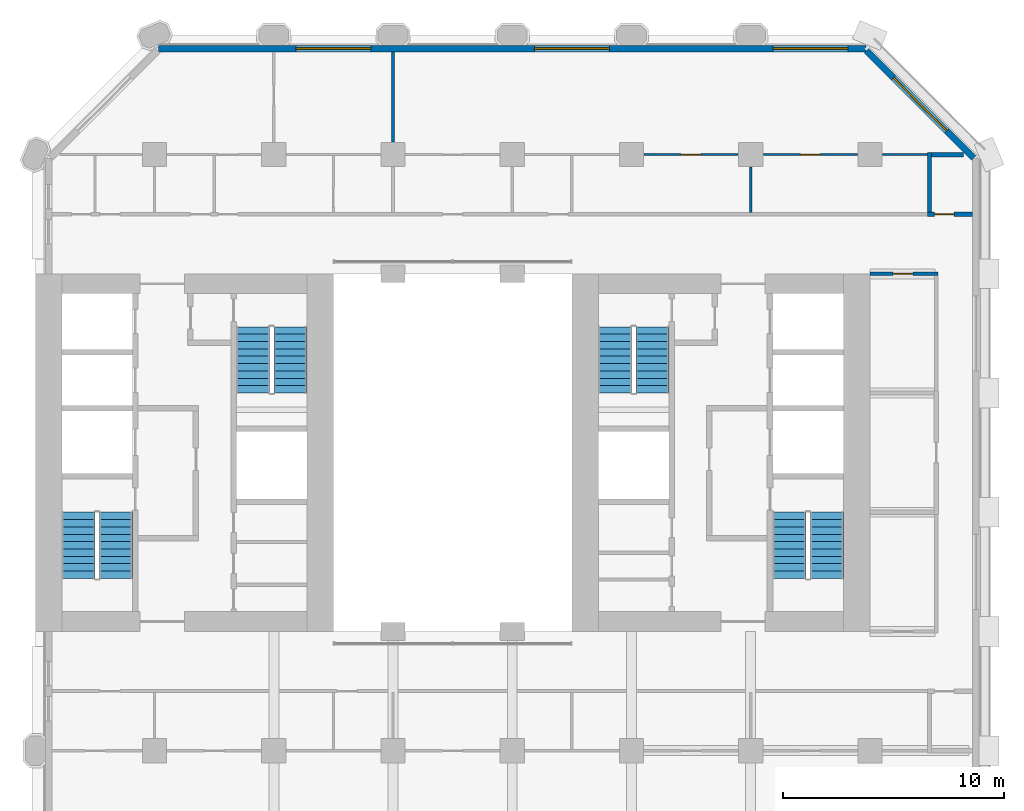
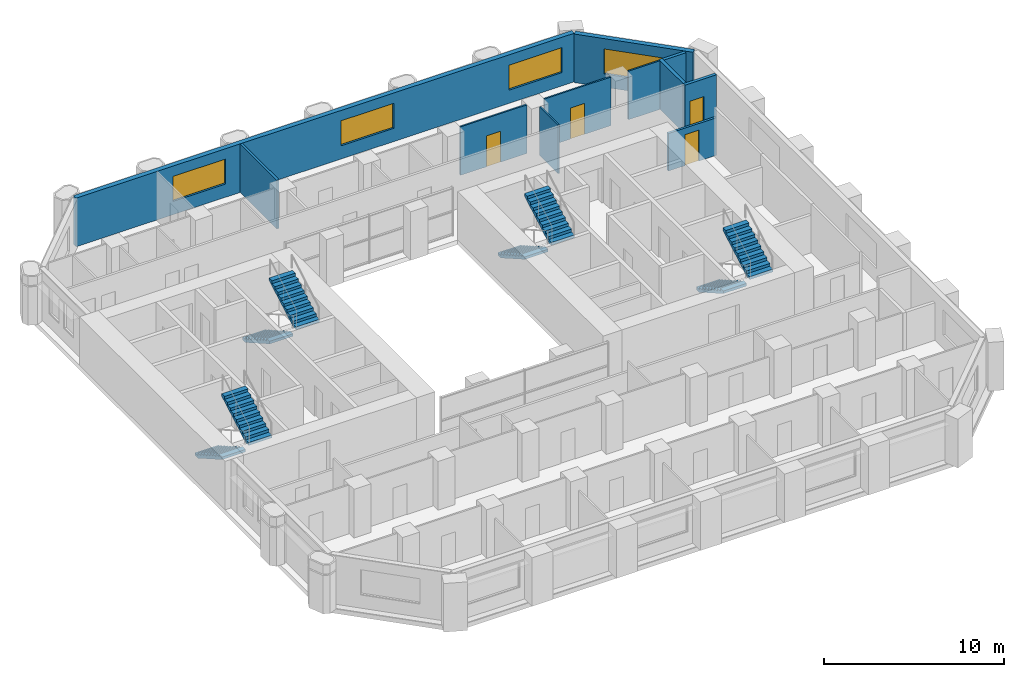
# One storey, part 11 of 13: 11 walls, 8 stair flights, 4 doors, 4 windows, 8 openings, 4 elements without a shape of their own.
"""IFC4 building model written with IfcOpenShell, lengths in metres."""

from ifc_helpers import new_model, si_unit, direction, frame, frame_2d, origin, place, context, subcontext, project, spatial, polyline, rectangle, outline, extrude, material, layer, layer_set, type_object, element, fill, aggregate, save


model = new_model("IFC4")

# Units and contexts
model_context = context("Model", 3, precision=1e-05, world=origin(), true_north=direction((0.0, 1.0)))
body_context = subcontext(model_context, "Body", "Model", "MODEL_VIEW")
ifc_project = project(units=[si_unit("LENGTHUNIT", "METRE"), si_unit("AREAUNIT", "SQUARE_METRE"), si_unit("VOLUMEUNIT", "CUBIC_METRE"), si_unit("PLANEANGLEUNIT", "RADIAN"), si_unit("MASSUNIT", "GRAM", prefix="KILO")], contexts=[model_context])

# Site, building, storey
site_placement = place(None, origin())
site = spatial("IfcSite", under=ifc_project, at=site_placement, CompositionType="ELEMENT")
building_placement = place(site_placement, origin())
building = spatial("IfcBuilding", under=site, at=building_placement, Name="Tabaq Tower and Sports Hall", CompositionType="ELEMENT")
storey_placement = place(building_placement, frame((0.0, 0.0, 56.39990234375)))
storey = spatial("IfcBuildingStorey", under=building, at=storey_placement, Name="L12", CompositionType="ELEMENT", Elevation=56.39990234375)

# Wall, opening, door
ifc_material_1 = material(Name="Blockwork", Category="masonry")
ifc_layer_1 = layer(ifc_material_1, 0.199951171875)
ifc_layer_set_1 = layer_set([ifc_layer_1], Name="Fire compartment wall 200 Blockwork")
wall_type_1 = type_object("IfcWallType", Name="Fire compartment wall 200 Blockwork", PredefinedType="PARTITIONING", material=ifc_layer_set_1)
wall_1_placement = place(storey_placement, frame((47.84912109375, 35.10009765625, 0.0), z_axis=(0.0, 0.0, 1.0), x_axis=(-1.0, 0.0, 0.0)))
wall_1 = element("IfcWall", 1, at=wall_1_placement, inside=storey, type_object=wall_type_1, Name="Compartment wall L12", PredefinedType="PARTITIONING", context=body_context, shape_type="SweptSolid", body=[
    extrude(rectangle(XDim=2.049072265625, YDim=0.199951171875, at=frame_2d((1.0244140625, 0.0))), origin(), (0.0, 0.0, 1.0), 3.300048828125),
])
opening_1_placement = place(wall_1_placement, frame((0.8291015625, 0.0, 0.0)))
opening_1 = element("IfcOpeningElement", 2, at=opening_1_placement, cuts=wall_1, Name="Opening L12-005", PredefinedType="OPENING", context=body_context, shape_type="SweptSolid", body=[
    extrude(rectangle(XDim=0.89990234375, YDim=2.10009765625, at=frame_2d((0.449951171875, 1.050048828125))), frame((0.0, 0.10009765625, 0.0), z_axis=(0.0, -1.0, 0.0), x_axis=(1.0, 0.0, 0.0)), (0.0, 0.0, 1.0), 0.199951171875),
])
ifc_material_2 = material(Name="Steel fire door", Category="steel")
door_type_1 = type_object("IfcDoorType", Name="Plant room door 900 right hand", OperationType="SINGLE_SWING_RIGHT", PredefinedType="DOOR", material=ifc_material_2)
door_1_placement = place(opening_1_placement, origin())
door_1 = element("IfcDoor", 3, at=door_1_placement, inside=storey, type_object=door_type_1, Name="Plant room door L12-005", OperationType="SINGLE_SWING_RIGHT", OverallHeight=2.10009765625, OverallWidth=0.89990234375, PredefinedType="DOOR", context=body_context, shape_type="SweptSolid", body=[
    extrude(rectangle(XDim=0.89990234375, YDim=2.10009765625, at=frame_2d((0.449951171875, 1.050048828125))), frame((0.0, 0.02490234375, 0.0), z_axis=(0.0, -1.0, 0.0), x_axis=(1.0, 0.0, 0.0)), (0.0, 0.0, 1.0), 0.050048828125),
])
fill(opening_1, door_1)

# Walls
wall_2_placement = place(storey_placement, frame((45.89990234375, 35.199951171875, 0.0), z_axis=(0.0, 0.0, 1.0), x_axis=(0.0, 1.0, 0.0)))
element("IfcWall", 4, at=wall_2_placement, inside=storey, type_object=wall_type_1, Name="Compartment wall L12", PredefinedType="PARTITIONING", context=body_context, shape_type="SweptSolid", body=[
    extrude(rectangle(XDim=2.699951171875, YDim=0.199951171875, at=frame_2d((1.35009765625, 0.0))), origin(), (0.0, 0.0, 1.0), 3.300048828125),
])
wall_3_placement = place(storey_placement, frame((47.43798828125, 37.800048828125, 0.0), z_axis=(0.0, 0.0, 1.0), x_axis=(-1.0, 0.0, 0.0)))
element("IfcWall", 5, at=wall_3_placement, inside=storey, type_object=wall_type_1, Name="Compartment wall L12", PredefinedType="PARTITIONING", context=body_context, shape_type="SweptSolid", body=[
    extrude(rectangle(XDim=1.43798828125, YDim=0.199951171875, at=frame_2d((0.718994140625, 0.0))), origin(), (0.0, 0.0, 1.0), 3.300048828125),
])
ifc_material_3 = material(Name="Gypsum board on steel studs", Category="steel")
ifc_layer_2 = layer(ifc_material_3, 0.10009765625)
ifc_layer_set_2 = layer_set([ifc_layer_2], Name="Partition 100 Gypsum board")
wall_type_2 = type_object("IfcWallType", Name="Partition 100 Gypsum board", PredefinedType="PARTITIONING", material=ifc_layer_set_2)
wall_4_placement = place(storey_placement, frame((37.800048828125, 35.175048828125, 0.0), z_axis=(0.0, 0.0, 1.0), x_axis=(0.0, 1.0, 0.0)))
element("IfcWall", 6, at=wall_4_placement, inside=storey, type_object=wall_type_2, Name="Partition wall L12", PredefinedType="PARTITIONING", context=body_context, shape_type="SweptSolid", body=[
    extrude(rectangle(XDim=2.054931640625, YDim=0.10009765625, at=frame_2d((1.02734375, 0.0))), origin(), (0.0, 0.0, 1.0), 3.300048828125),
])

# Wall, opening, door
wall_5_placement = place(storey_placement, frame((37.22998046875, 37.800048828125, 0.0), z_axis=(0.0, 0.0, 1.0), x_axis=(-1.0, 0.0, 0.0)))
wall_5 = element("IfcWall", 7, at=wall_5_placement, inside=storey, type_object=wall_type_2, Name="Partition wall L12", PredefinedType="PARTITIONING", context=body_context, shape_type="SweptSolid", body=[
    extrude(rectangle(XDim=4.260009765625, YDim=0.10009765625, at=frame_2d((2.1298828125, 0.0))), origin(), (0.0, 0.0, 1.0), 3.300048828125),
])
opening_2_placement = place(wall_5_placement, frame((1.679931640625, 0.0, 0.0)))
opening_2 = element("IfcOpeningElement", 8, at=opening_2_placement, cuts=wall_5, Name="Opening L12-013", PredefinedType="OPENING", context=body_context, shape_type="SweptSolid", body=[
    extrude(rectangle(XDim=0.89990234375, YDim=2.10009765625, at=frame_2d((0.449951171875, 1.050048828125))), frame((0.0, 0.050048828125, 0.0), z_axis=(0.0, -1.0, 0.0), x_axis=(1.0, 0.0, 0.0)), (0.0, 0.0, 1.0), 0.10009765625),
])
ifc_material_4 = material(Name="Timber leaf in steel frame", Category="steel")
door_type_2 = type_object("IfcDoorType", Name="Internal door 900 left hand", OperationType="SINGLE_SWING_LEFT", PredefinedType="DOOR", material=ifc_material_4)
door_2_placement = place(opening_2_placement, origin())
door_2 = element("IfcDoor", 9, at=door_2_placement, inside=storey, type_object=door_type_2, Name="Internal door L12-013", OperationType="SINGLE_SWING_LEFT", OverallHeight=2.10009765625, OverallWidth=0.89990234375, PredefinedType="DOOR", context=body_context, shape_type="SweptSolid", body=[
    extrude(rectangle(XDim=0.89990234375, YDim=2.10009765625, at=frame_2d((0.449951171875, 1.050048828125))), frame((0.0, 0.02490234375, 0.0), z_axis=(0.0, -1.0, 0.0), x_axis=(1.0, 0.0, 0.0)), (0.0, 0.0, 1.0), 0.050048828125),
])
fill(opening_2, door_2)

# Wall
wall_6_placement = place(storey_placement, frame((45.800048828125, 37.800048828125, 0.0), z_axis=(0.0, 0.0, 1.0), x_axis=(-1.0, 0.0, 0.0)))
element("IfcWall", 10, at=wall_6_placement, inside=storey, type_object=wall_type_2, Name="Partition wall L12", PredefinedType="PARTITIONING", context=body_context, shape_type="SweptSolid", body=[
    extrude(rectangle(XDim=2.030029296875, YDim=0.10009765625, at=frame_2d((1.01513671875, 0.0))), origin(), (0.0, 0.0, 1.0), 3.300048828125),
])

# Wall, opening, door
wall_7_placement = place(storey_placement, frame((42.6298828125, 37.800048828125, 0.0), z_axis=(0.0, 0.0, 1.0), x_axis=(-1.0, 0.0, 0.0)))
wall_7 = element("IfcWall", 11, at=wall_7_placement, inside=storey, type_object=wall_type_2, Name="Partition wall L12", PredefinedType="PARTITIONING", context=body_context, shape_type="SweptSolid", body=[
    extrude(rectangle(XDim=4.259765625, YDim=0.10009765625, at=frame_2d((2.1298828125, 0.0))), origin(), (0.0, 0.0, 1.0), 3.300048828125),
])
opening_3_placement = place(wall_7_placement, frame((1.679931640625, 0.0, 0.0)))
opening_3 = element("IfcOpeningElement", 12, at=opening_3_placement, cuts=wall_7, Name="Opening L12-014", PredefinedType="OPENING", context=body_context, shape_type="SweptSolid", body=[
    extrude(rectangle(XDim=0.89990234375, YDim=2.10009765625, at=frame_2d((0.449951171875, 1.050048828125))), frame((0.0, 0.050048828125, 0.0), z_axis=(0.0, -1.0, 0.0), x_axis=(1.0, 0.0, 0.0)), (0.0, 0.0, 1.0), 0.10009765625),
])
ifc_material_5 = material(Name="Timber leaf in steel frame", Category="steel")
door_type_3 = type_object("IfcDoorType", Name="Internal door 900 right hand", OperationType="SINGLE_SWING_RIGHT", PredefinedType="DOOR", material=ifc_material_5)
door_3_placement = place(opening_3_placement, origin())
door_3 = element("IfcDoor", 13, at=door_3_placement, inside=storey, type_object=door_type_3, Name="Internal door L12-014", OperationType="SINGLE_SWING_RIGHT", OverallHeight=2.10009765625, OverallWidth=0.89990234375, PredefinedType="DOOR", context=body_context, shape_type="SweptSolid", body=[
    extrude(rectangle(XDim=0.89990234375, YDim=2.10009765625, at=frame_2d((0.449951171875, 1.050048828125))), frame((0.0, 0.02490234375, 0.0), z_axis=(0.0, -1.0, 0.0), x_axis=(1.0, 0.0, 0.0)), (0.0, 0.0, 1.0), 0.050048828125),
])
fill(opening_3, door_3)

ifc_material_6 = material(Name="Blockwork", Category="masonry")
ifc_layer_3 = layer(ifc_material_6, 0.14990234375)
ifc_layer_set_3 = layer_set([ifc_layer_3], Name="Separating wall 150 Blockwork")
wall_type_3 = type_object("IfcWallType", Name="Separating wall 150 Blockwork", PredefinedType="PARTITIONING", material=ifc_layer_set_3)
wall_8_placement = place(storey_placement, frame((43.199951171875, 32.39990234375, 0.0), z_axis=(0.0, 0.0, 1.0), x_axis=(1.0, 0.0, 0.0)))
wall_8 = element("IfcWall", 14, at=wall_8_placement, inside=storey, type_object=wall_type_3, Name="Separating wall L12", PredefinedType="PARTITIONING", context=body_context, shape_type="SweptSolid", body=[
    extrude(rectangle(XDim=3.074951171875, YDim=0.14990234375, at=frame_2d((1.53759765625, 0.0))), origin(), (0.0, 0.0, 1.0), 2.550048828125),
])
opening_4_placement = place(wall_8_placement, frame((1.050048828125, 0.0, 0.0)))
opening_4 = element("IfcOpeningElement", 15, at=opening_4_placement, cuts=wall_8, Name="Opening L12-010", PredefinedType="OPENING", context=body_context, shape_type="SweptSolid", body=[
    extrude(rectangle(XDim=0.89990234375, YDim=2.10009765625, at=frame_2d((0.449951171875, 1.050048828125))), frame((0.0, 0.074951171875, 0.0), z_axis=(0.0, -1.0, 0.0), x_axis=(1.0, 0.0, 0.0)), (0.0, 0.0, 1.0), 0.14990234375),
])
door_4_placement = place(opening_4_placement, origin())
door_4 = element("IfcDoor", 16, at=door_4_placement, inside=storey, type_object=door_type_2, Name="Internal door L12-010", OperationType="SINGLE_SWING_LEFT", OverallHeight=2.10009765625, OverallWidth=0.89990234375, PredefinedType="DOOR", context=body_context, shape_type="SweptSolid", body=[
    extrude(rectangle(XDim=0.89990234375, YDim=2.10009765625, at=frame_2d((0.449951171875, 1.050048828125))), frame((0.0, 0.02490234375, 0.0), z_axis=(0.0, -1.0, 0.0), x_axis=(1.0, 0.0, 0.0)), (0.0, 0.0, 1.0), 0.050048828125),
])
fill(opening_4, door_4)

# Wall
wall_9_placement = place(storey_placement, frame((21.60009765625, 38.3701171875, 0.0), z_axis=(0.0, 0.0, 1.0), x_axis=(0.0, 1.0, 0.0)))
element("IfcWall", 17, at=wall_9_placement, inside=storey, type_object=wall_type_3, Name="Separating wall L12", PredefinedType="PARTITIONING", context=body_context, shape_type="SweptSolid", body=[
    extrude(rectangle(XDim=4.078857421875, YDim=0.14990234375, at=frame_2d((2.03955078125, 0.0))), origin(), (0.0, 0.0, 1.0), 3.300048828125),
])

# Wall, opening, window
ifc_material_7 = material(Name="White precast concrete C60/75", Category="concrete")
ifc_layer_4 = layer(ifc_material_7, 0.300048828125)
ifc_layer_set_4 = layer_set([ifc_layer_4], Name="White precast concrete C60/75 external wall 300")
wall_type_4 = type_object("IfcWallType", Name="White precast concrete C60/75 external wall 300", PredefinedType="SOLIDWALL", material=ifc_layer_set_4)
wall_10_placement = place(storey_placement, frame((47.901123046875, 37.650390625, 0.0), z_axis=(0.0, 0.0, 1.0), x_axis=(-0.707106781187, 0.707106781187, 0.0)))
wall_10 = element("IfcWall", 18, at=wall_10_placement, inside=storey, type_object=wall_type_4, Name="External Wall L12 NE", PredefinedType="SOLIDWALL", context=body_context, shape_type="SweptSolid", body=[
    extrude(rectangle(XDim=6.85986328125, YDim=0.300048828125, at=frame_2d((3.429931640625, 0.0))), origin(), (0.0, 0.0, 1.0), 3.300048828125),
])
opening_5_placement = place(wall_10_placement, frame((1.729736328125, 0.0, 0.89990234375)))
opening_5 = element("IfcOpeningElement", 19, at=opening_5_placement, cuts=wall_10, Name="Opening W1A", PredefinedType="OPENING", context=body_context, shape_type="SweptSolid", body=[
    extrude(rectangle(XDim=3.39990234375, YDim=1.699951171875, at=frame_2d((1.699951171875, 0.85009765625))), frame((0.0, 0.16015625, 0.0), z_axis=(0.0, -1.0, 0.0), x_axis=(1.0, 0.0, 0.0)), (0.0, 0.0, 1.0), 0.320068359375),
])
ifc_material_8 = material(Name="Aluminium framed clear glazing", Category="aluminium")
window_type = type_object("IfcWindowType", Name="Window W1A", PartitioningType="SINGLE_PANEL", PredefinedType="WINDOW", material=ifc_material_8)
window_1_placement = place(opening_5_placement, origin())
window_1 = element("IfcWindow", 20, at=window_1_placement, inside=storey, type_object=window_type, Name="Window W1A L12", OverallHeight=1.699951171875, OverallWidth=3.39990234375, PartitioningType="SINGLE_PANEL", PredefinedType="WINDOW", context=body_context, shape_type="SweptSolid", body=[
    extrude(rectangle(XDim=3.39990234375, YDim=1.699951171875, at=frame_2d((1.699951171875, 0.85009765625))), frame((0.0, 0.030029296875, 0.0), z_axis=(0.0, -1.0, 0.0), x_axis=(1.0, 0.0, 0.0)), (0.0, 0.0, 1.0), 0.06005859375),
])
fill(opening_5, window_1)

# Wall, openings, windows
wall_11_placement = place(storey_placement, frame((43.013671875, 42.60009765625, 0.0), z_axis=(0.0, 0.0, 1.0), x_axis=(-1.0, 0.0, 0.0)))
wall_11 = element("IfcWall", 21, at=wall_11_placement, inside=storey, type_object=wall_type_4, Name="External Wall L12 N", PredefinedType="SOLIDWALL", context=body_context, shape_type="SweptSolid", body=[
    extrude(rectangle(XDim=32.02734375, YDim=0.300048828125, at=frame_2d((16.013671875, 0.0))), origin(), (0.0, 0.0, 1.0), 3.300048828125),
])
opening_6_placement = place(wall_11_placement, frame((0.813720703125, 0.0, 0.89990234375)))
opening_6 = element("IfcOpeningElement", 22, at=opening_6_placement, cuts=wall_11, Name="Opening W1A", PredefinedType="OPENING", context=body_context, shape_type="SweptSolid", body=[
    extrude(rectangle(XDim=3.39990234375, YDim=1.699951171875, at=frame_2d((1.699951171875, 0.85009765625))), frame((0.0, 0.16015625, 0.0), z_axis=(0.0, -1.0, 0.0), x_axis=(1.0, 0.0, 0.0)), (0.0, 0.0, 1.0), 0.320068359375),
])
opening_7_placement = place(wall_11_placement, frame((11.613525390625, 0.0, 0.89990234375)))
opening_7 = element("IfcOpeningElement", 23, at=opening_7_placement, cuts=wall_11, Name="Opening W1A", PredefinedType="OPENING", context=body_context, shape_type="SweptSolid", body=[
    extrude(rectangle(XDim=3.39990234375, YDim=1.699951171875, at=frame_2d((1.699951171875, 0.85009765625))), frame((0.0, 0.16015625, 0.0), z_axis=(0.0, -1.0, 0.0), x_axis=(1.0, 0.0, 0.0)), (0.0, 0.0, 1.0), 0.320068359375),
])
opening_8_placement = place(wall_11_placement, frame((22.41357421875, 0.0, 0.89990234375)))
opening_8 = element("IfcOpeningElement", 24, at=opening_8_placement, cuts=wall_11, Name="Opening W1A", PredefinedType="OPENING", context=body_context, shape_type="SweptSolid", body=[
    extrude(rectangle(XDim=3.39990234375, YDim=1.699951171875, at=frame_2d((1.699951171875, 0.85009765625))), frame((0.0, 0.16015625, 0.0), z_axis=(0.0, -1.0, 0.0), x_axis=(1.0, 0.0, 0.0)), (0.0, 0.0, 1.0), 0.320068359375),
])
window_2_placement = place(opening_6_placement, origin())
window_2 = element("IfcWindow", 25, at=window_2_placement, inside=storey, type_object=window_type, Name="Window W1A L12", OverallHeight=1.699951171875, OverallWidth=3.39990234375, PartitioningType="SINGLE_PANEL", PredefinedType="WINDOW", context=body_context, shape_type="SweptSolid", body=[
    extrude(rectangle(XDim=3.39990234375, YDim=1.699951171875, at=frame_2d((1.699951171875, 0.85009765625))), frame((0.0, 0.030029296875, 0.0), z_axis=(0.0, -1.0, 0.0), x_axis=(1.0, 0.0, 0.0)), (0.0, 0.0, 1.0), 0.06005859375),
])
fill(opening_6, window_2)
window_3_placement = place(opening_7_placement, origin())
window_3 = element("IfcWindow", 26, at=window_3_placement, inside=storey, type_object=window_type, Name="Window W1A L12", OverallHeight=1.699951171875, OverallWidth=3.39990234375, PartitioningType="SINGLE_PANEL", PredefinedType="WINDOW", context=body_context, shape_type="SweptSolid", body=[
    extrude(rectangle(XDim=3.39990234375, YDim=1.699951171875, at=frame_2d((1.699951171875, 0.85009765625))), frame((0.0, 0.030029296875, 0.0), z_axis=(0.0, -1.0, 0.0), x_axis=(1.0, 0.0, 0.0)), (0.0, 0.0, 1.0), 0.06005859375),
])
fill(opening_7, window_3)
window_4_placement = place(opening_8_placement, origin())
window_4 = element("IfcWindow", 27, at=window_4_placement, inside=storey, type_object=window_type, Name="Window W1A L12", OverallHeight=1.699951171875, OverallWidth=3.39990234375, PartitioningType="SINGLE_PANEL", PredefinedType="WINDOW", context=body_context, shape_type="SweptSolid", body=[
    extrude(rectangle(XDim=3.39990234375, YDim=1.699951171875, at=frame_2d((1.699951171875, 0.85009765625))), frame((0.0, 0.030029296875, 0.0), z_axis=(0.0, -1.0, 0.0), x_axis=(1.0, 0.0, 0.0)), (0.0, 0.0, 1.0), 0.06005859375),
])
fill(opening_8, window_4)

# Stair, stair flights
ifc_material_9 = material(Name="Concrete C40/50", Category="concrete")
stair_type = type_object("IfcStairType", Name="Exit stair", PredefinedType="HALF_TURN_STAIR", material=ifc_material_9)
stair_1_placement = place(storey_placement, origin())
stair_1 = element("IfcStair", 28, at=stair_1_placement, inside=storey, type_object=stair_type, Name="L12 Exit stair ST1", PredefinedType="HALF_TURN_STAIR")
ifc_material_10 = material(Name="Concrete C40/50", Category="concrete")
stair_flight_type = type_object("IfcStairFlightType", Name="Exit stair flight", PredefinedType="STRAIGHT", material=ifc_material_10)
stair_flight_1_placement = place(storey_placement, frame((7.35009765625, 21.60009765625, 0.0), z_axis=(0.0, 0.0, 1.0), x_axis=(0.0, -1.0, 0.0)))
stair_flight_1 = element("IfcStairFlight", 29, at=stair_flight_1_placement, type_object=stair_flight_type, Name="ST1 flight 1", NumberOfRisers=10, NumberOfTreads=9, PredefinedType="STRAIGHT", RiserHeight=0.19, TreadLength=0.333333333, context=body_context, shape_type="SweptSolid", body=[
    extrude(outline(polyline([(0.0, 0.0), (0.0, 0.18994140625), (0.333251953125, 0.18994140625), (0.333251953125, 0.3798828125), (0.666748046875, 0.3798828125), (0.666748046875, 0.570068359375), (1.0, 0.570068359375), (1.0, 0.760009765625), (1.333251953125, 0.760009765625), (1.333251953125, 0.949951171875), (1.666748046875, 0.949951171875), (1.666748046875, 1.139892578125), (2.0, 1.139892578125), (2.0, 1.330078125), (2.333251953125, 1.330078125), (2.333251953125, 1.52001953125), (2.666748046875, 1.52001953125), (2.666748046875, 1.7099609375), (3.0, 1.7099609375), (3.0, 1.89990234375), (3.0, 1.537353515625), (0.302734375, 0.0), (0.0, 0.0)])), frame((0.0, 0.75, 0.0), z_axis=(0.0, -1.0, 0.0), x_axis=(1.0, 0.0, 0.0)), (0.0, 0.0, 1.0), 1.5),
])
stair_flight_2_placement = place(storey_placement, frame((9.050048828125, 18.60009765625, 1.900146484375), z_axis=(0.0, 0.0, 1.0), x_axis=(0.0, 1.0, 0.0)))
stair_flight_2 = element("IfcStairFlight", 30, at=stair_flight_2_placement, type_object=stair_flight_type, Name="ST1 flight 2", NumberOfRisers=10, NumberOfTreads=9, PredefinedType="STRAIGHT", RiserHeight=0.19, TreadLength=0.333333333, context=body_context, shape_type="SweptSolid", body=[
    extrude(outline(polyline([(0.0, 0.0), (0.0, 0.18994140625), (0.333251953125, 0.18994140625), (0.333251953125, 0.3798828125), (0.666748046875, 0.3798828125), (0.666748046875, 0.570068359375), (1.0, 0.570068359375), (1.0, 0.760009765625), (1.333251953125, 0.760009765625), (1.333251953125, 0.949951171875), (1.666748046875, 0.949951171875), (1.666748046875, 1.139892578125), (2.0, 1.139892578125), (2.0, 1.330078125), (2.333251953125, 1.330078125), (2.333251953125, 1.52001953125), (2.666748046875, 1.52001953125), (2.666748046875, 1.7099609375), (3.0, 1.7099609375), (3.0, 1.89990234375), (3.0, 1.537353515625), (0.302734375, 0.0), (0.0, 0.0)])), frame((0.0, 0.75, 0.0), z_axis=(0.0, -1.0, 0.0), x_axis=(1.0, 0.0, 0.0)), (0.0, 0.0, 1.0), 1.5),
])
aggregate(stair_1, [stair_flight_1, stair_flight_2])

stair_2_placement = place(storey_placement, origin())
stair_2 = element("IfcStair", 31, at=stair_2_placement, inside=storey, type_object=stair_type, Name="L12 Exit stair ST2", PredefinedType="HALF_TURN_STAIR")
stair_flight_3_placement = place(storey_placement, frame((15.25, 30.0, 0.0), z_axis=(0.0, 0.0, 1.0), x_axis=(0.0, -1.0, 0.0)))
stair_flight_3 = element("IfcStairFlight", 32, at=stair_flight_3_placement, type_object=stair_flight_type, Name="ST2 flight 1", NumberOfRisers=10, NumberOfTreads=9, PredefinedType="STRAIGHT", RiserHeight=0.19, TreadLength=0.333333333, context=body_context, shape_type="SweptSolid", body=[
    extrude(outline(polyline([(0.0, 0.0), (0.0, 0.18994140625), (0.333251953125, 0.18994140625), (0.333251953125, 0.3798828125), (0.666748046875, 0.3798828125), (0.666748046875, 0.570068359375), (1.0, 0.570068359375), (1.0, 0.760009765625), (1.333251953125, 0.760009765625), (1.333251953125, 0.949951171875), (1.666748046875, 0.949951171875), (1.666748046875, 1.139892578125), (2.0, 1.139892578125), (2.0, 1.330078125), (2.333251953125, 1.330078125), (2.333251953125, 1.52001953125), (2.666748046875, 1.52001953125), (2.666748046875, 1.7099609375), (3.0, 1.7099609375), (3.0, 1.89990234375), (3.0, 1.537353515625), (0.302734375, 0.0), (0.0, 0.0)])), frame((0.0, 0.75, 0.0), z_axis=(0.0, -1.0, 0.0), x_axis=(1.0, 0.0, 0.0)), (0.0, 0.0, 1.0), 1.5),
])
stair_flight_4_placement = place(storey_placement, frame((16.949951171875, 27.0, 1.900146484375), z_axis=(0.0, 0.0, 1.0), x_axis=(0.0, 1.0, 0.0)))
stair_flight_4 = element("IfcStairFlight", 33, at=stair_flight_4_placement, type_object=stair_flight_type, Name="ST2 flight 2", NumberOfRisers=10, NumberOfTreads=9, PredefinedType="STRAIGHT", RiserHeight=0.19, TreadLength=0.333333333, context=body_context, shape_type="SweptSolid", body=[
    extrude(outline(polyline([(0.0, 0.0), (0.0, 0.18994140625), (0.333251953125, 0.18994140625), (0.333251953125, 0.3798828125), (0.666748046875, 0.3798828125), (0.666748046875, 0.570068359375), (1.0, 0.570068359375), (1.0, 0.760009765625), (1.333251953125, 0.760009765625), (1.333251953125, 0.949951171875), (1.666748046875, 0.949951171875), (1.666748046875, 1.139892578125), (2.0, 1.139892578125), (2.0, 1.330078125), (2.333251953125, 1.330078125), (2.333251953125, 1.52001953125), (2.666748046875, 1.52001953125), (2.666748046875, 1.7099609375), (3.0, 1.7099609375), (3.0, 1.89990234375), (3.0, 1.537353515625), (0.302734375, 0.0), (0.0, 0.0)])), frame((0.0, 0.75, 0.0), z_axis=(0.0, -1.0, 0.0), x_axis=(1.0, 0.0, 0.0)), (0.0, 0.0, 1.0), 1.5),
])
aggregate(stair_2, [stair_flight_3, stair_flight_4])

stair_3_placement = place(storey_placement, origin())
stair_3 = element("IfcStair", 34, at=stair_3_placement, inside=storey, type_object=stair_type, Name="L12 Exit stair ST3", PredefinedType="HALF_TURN_STAIR")
stair_flight_5_placement = place(storey_placement, frame((39.550048828125, 21.60009765625, 0.0), z_axis=(0.0, 0.0, 1.0), x_axis=(0.0, -1.0, 0.0)))
stair_flight_5 = element("IfcStairFlight", 35, at=stair_flight_5_placement, type_object=stair_flight_type, Name="ST3 flight 1", NumberOfRisers=10, NumberOfTreads=9, PredefinedType="STRAIGHT", RiserHeight=0.19, TreadLength=0.333333333, context=body_context, shape_type="SweptSolid", body=[
    extrude(outline(polyline([(0.0, 0.0), (0.0, 0.18994140625), (0.333251953125, 0.18994140625), (0.333251953125, 0.3798828125), (0.666748046875, 0.3798828125), (0.666748046875, 0.570068359375), (1.0, 0.570068359375), (1.0, 0.760009765625), (1.333251953125, 0.760009765625), (1.333251953125, 0.949951171875), (1.666748046875, 0.949951171875), (1.666748046875, 1.139892578125), (2.0, 1.139892578125), (2.0, 1.330078125), (2.333251953125, 1.330078125), (2.333251953125, 1.52001953125), (2.666748046875, 1.52001953125), (2.666748046875, 1.7099609375), (3.0, 1.7099609375), (3.0, 1.89990234375), (3.0, 1.537353515625), (0.302734375, 0.0), (0.0, 0.0)])), frame((0.0, 0.75, 0.0), z_axis=(0.0, -1.0, 0.0), x_axis=(1.0, 0.0, 0.0)), (0.0, 0.0, 1.0), 1.5),
])
stair_flight_6_placement = place(storey_placement, frame((41.25, 18.60009765625, 1.900146484375), z_axis=(0.0, 0.0, 1.0), x_axis=(0.0, 1.0, 0.0)))
stair_flight_6 = element("IfcStairFlight", 36, at=stair_flight_6_placement, type_object=stair_flight_type, Name="ST3 flight 2", NumberOfRisers=10, NumberOfTreads=9, PredefinedType="STRAIGHT", RiserHeight=0.19, TreadLength=0.333333333, context=body_context, shape_type="SweptSolid", body=[
    extrude(outline(polyline([(0.0, 0.0), (0.0, 0.18994140625), (0.333251953125, 0.18994140625), (0.333251953125, 0.3798828125), (0.666748046875, 0.3798828125), (0.666748046875, 0.570068359375), (1.0, 0.570068359375), (1.0, 0.760009765625), (1.333251953125, 0.760009765625), (1.333251953125, 0.949951171875), (1.666748046875, 0.949951171875), (1.666748046875, 1.139892578125), (2.0, 1.139892578125), (2.0, 1.330078125), (2.333251953125, 1.330078125), (2.333251953125, 1.52001953125), (2.666748046875, 1.52001953125), (2.666748046875, 1.7099609375), (3.0, 1.7099609375), (3.0, 1.89990234375), (3.0, 1.537353515625), (0.302734375, 0.0), (0.0, 0.0)])), frame((0.0, 0.75, 0.0), z_axis=(0.0, -1.0, 0.0), x_axis=(1.0, 0.0, 0.0)), (0.0, 0.0, 1.0), 1.5),
])
aggregate(stair_3, [stair_flight_5, stair_flight_6])

stair_4_placement = place(storey_placement, origin())
stair_4 = element("IfcStair", 37, at=stair_4_placement, inside=storey, type_object=stair_type, Name="L12 Exit stair ST4", PredefinedType="HALF_TURN_STAIR")
stair_flight_7_placement = place(storey_placement, frame((31.64990234375, 30.0, 0.0), z_axis=(0.0, 0.0, 1.0), x_axis=(0.0, -1.0, 0.0)))
stair_flight_7 = element("IfcStairFlight", 38, at=stair_flight_7_placement, type_object=stair_flight_type, Name="ST4 flight 1", NumberOfRisers=10, NumberOfTreads=9, PredefinedType="STRAIGHT", RiserHeight=0.19, TreadLength=0.333333333, context=body_context, shape_type="SweptSolid", body=[
    extrude(outline(polyline([(0.0, 0.0), (0.0, 0.18994140625), (0.333251953125, 0.18994140625), (0.333251953125, 0.3798828125), (0.666748046875, 0.3798828125), (0.666748046875, 0.570068359375), (1.0, 0.570068359375), (1.0, 0.760009765625), (1.333251953125, 0.760009765625), (1.333251953125, 0.949951171875), (1.666748046875, 0.949951171875), (1.666748046875, 1.139892578125), (2.0, 1.139892578125), (2.0, 1.330078125), (2.333251953125, 1.330078125), (2.333251953125, 1.52001953125), (2.666748046875, 1.52001953125), (2.666748046875, 1.7099609375), (3.0, 1.7099609375), (3.0, 1.89990234375), (3.0, 1.537353515625), (0.302734375, 0.0), (0.0, 0.0)])), frame((0.0, 0.75, 0.0), z_axis=(0.0, -1.0, 0.0), x_axis=(1.0, 0.0, 0.0)), (0.0, 0.0, 1.0), 1.5),
])
stair_flight_8_placement = place(storey_placement, frame((33.35009765625, 27.0, 1.900146484375), z_axis=(0.0, 0.0, 1.0), x_axis=(0.0, 1.0, 0.0)))
stair_flight_8 = element("IfcStairFlight", 39, at=stair_flight_8_placement, type_object=stair_flight_type, Name="ST4 flight 2", NumberOfRisers=10, NumberOfTreads=9, PredefinedType="STRAIGHT", RiserHeight=0.19, TreadLength=0.333333333, context=body_context, shape_type="SweptSolid", body=[
    extrude(outline(polyline([(0.0, 0.0), (0.0, 0.18994140625), (0.333251953125, 0.18994140625), (0.333251953125, 0.3798828125), (0.666748046875, 0.3798828125), (0.666748046875, 0.570068359375), (1.0, 0.570068359375), (1.0, 0.760009765625), (1.333251953125, 0.760009765625), (1.333251953125, 0.949951171875), (1.666748046875, 0.949951171875), (1.666748046875, 1.139892578125), (2.0, 1.139892578125), (2.0, 1.330078125), (2.333251953125, 1.330078125), (2.333251953125, 1.52001953125), (2.666748046875, 1.52001953125), (2.666748046875, 1.7099609375), (3.0, 1.7099609375), (3.0, 1.89990234375), (3.0, 1.537353515625), (0.302734375, 0.0), (0.0, 0.0)])), frame((0.0, 0.75, 0.0), z_axis=(0.0, -1.0, 0.0), x_axis=(1.0, 0.0, 0.0)), (0.0, 0.0, 1.0), 1.5),
])
aggregate(stair_4, [stair_flight_7, stair_flight_8])

save(model, "model.ifc")
